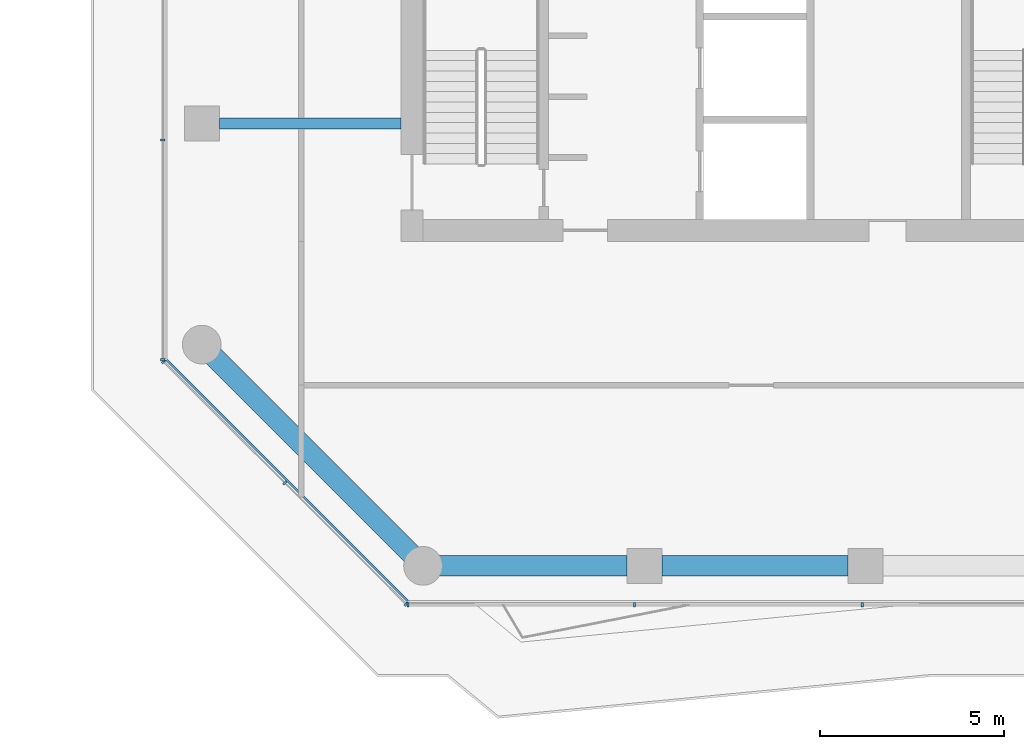
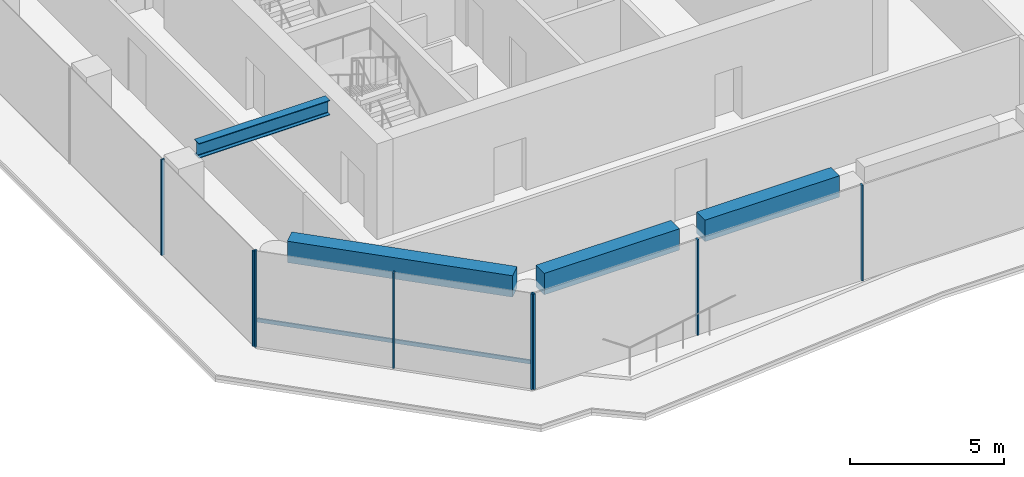
# One storey, part 2 of 22: 9 members, 4 beams, 3 elements without a shape of their own.
"""IFC4 building model written with IfcOpenShell, lengths in metres."""

from ifc_helpers import new_model, si_unit, direction, frame, origin, origin_2d, place, context, subcontext, project, spatial, rectangle, i_section, extrude, material, layer, layer_set, material_profile, profile_set, type_object, element, aggregate, save


model = new_model("IFC4")

# Units and contexts
model_context = context("Model", 3, precision=1e-05, world=origin(), true_north=direction((0.0, 1.0)))
body_context = subcontext(model_context, "Body", "Model", "MODEL_VIEW")
ifc_project = project(units=[si_unit("LENGTHUNIT", "METRE"), si_unit("AREAUNIT", "SQUARE_METRE"), si_unit("VOLUMEUNIT", "CUBIC_METRE"), si_unit("PLANEANGLEUNIT", "RADIAN"), si_unit("MASSUNIT", "GRAM", prefix="KILO")], contexts=[model_context])

# Site, building, storey
site_placement = place(None, origin())
site = spatial("IfcSite", under=ifc_project, at=site_placement, CompositionType="ELEMENT")
building_placement = place(site_placement, origin())
building = spatial("IfcBuilding", under=site, at=building_placement, Name="Welwitschia Terrace Campus", CompositionType="ELEMENT")
storey_placement = place(building_placement, frame((0.0, 0.0, 192.800048828125)))
storey = spatial("IfcBuildingStorey", under=building, at=storey_placement, Name="L43", CompositionType="ELEMENT", Elevation=192.800048828125)

# Curtain wall, members
ifc_material_1 = material(Name="Bronze anodised aluminium", Category="aluminium")
ifc_layer = layer(ifc_material_1, 0.1201171875)
ifc_layer_set = layer_set([ifc_layer], Name="Bronze anodised aluminium")
curtain_wall_type = type_object("IfcCurtainWallType", Name="Curtain wall CW2 tower 6000", PredefinedType="NOTDEFINED", material=ifc_layer_set)
curtain_wall_1_placement = place(storey_placement, origin())
curtain_wall_1 = element("IfcCurtainWall", 1, at=curtain_wall_1_placement, inside=storey, type_object=curtain_wall_type, Name="CW L43.1.0", PredefinedType="NOTDEFINED")
ifc_material_2 = material(Name="Bronze anodised aluminium", Category="aluminium")
ifc_material_profile_1 = material_profile(ifc_material_2, rectangle(XDim=0.1201171875, YDim=0.06005859375, at=origin_2d()))
ifc_profile_set_1 = profile_set([ifc_material_profile_1], Name="Bronze anodised aluminium")
member_type_1 = type_object("IfcMemberType", Name="Mullion 60x120", PredefinedType="MULLION", material=ifc_profile_set_1)
member_1_placement = place(storey_placement, frame((-1.05810546875, 7.55224609375, 0.0), z_axis=(0.0, 0.0, 1.0), x_axis=(1.0, 0.0, 0.0)))
member_1 = element("IfcMember", 2, at=member_1_placement, type_object=member_type_1, Name="Mullion L43.1.0.3", PredefinedType="MULLION", context=body_context, shape_type="SweptSolid", body=[
    extrude(rectangle(XDim=0.1201171875, YDim=0.06005859375, at=origin_2d()), origin(), (0.0, 0.0, 1.0), 3.800048828125),
])
member_2_placement = place(storey_placement, frame((-1.05810546875, 1.591796875, 0.0), z_axis=(0.0, 0.0, 1.0), x_axis=(1.0, 0.0, 0.0)))
member_2 = element("IfcMember", 3, at=member_2_placement, type_object=member_type_1, Name="Mullion L43.1.0.4", PredefinedType="MULLION", context=body_context, shape_type="SweptSolid", body=[
    extrude(rectangle(XDim=0.1201171875, YDim=0.06005859375, at=origin_2d()), origin(), (0.0, 0.0, 1.0), 3.800048828125),
])
aggregate(curtain_wall_1, [member_1, member_2])

curtain_wall_2_placement = place(storey_placement, origin())
curtain_wall_2 = element("IfcCurtainWall", 4, at=curtain_wall_2_placement, inside=storey, type_object=curtain_wall_type, Name="CW L43.2.0", PredefinedType="NOTDEFINED")
member_3_placement = place(storey_placement, frame((-1.036865234375, 1.54052734375, 0.0), z_axis=(0.0, 0.0, 1.0), x_axis=(0.707106781187, 0.707106781187, 0.0)))
member_3 = element("IfcMember", 5, at=member_3_placement, type_object=member_type_1, Name="Mullion L43.2.0.0", PredefinedType="MULLION", context=body_context, shape_type="SweptSolid", body=[
    extrude(rectangle(XDim=0.1201171875, YDim=0.06005859375, at=origin_2d()), origin(), (0.0, 0.0, 1.0), 3.800048828125),
])
member_4_placement = place(storey_placement, frame((2.251953125, -1.748046875, 0.0), z_axis=(0.0, 0.0, 1.0), x_axis=(0.707106781187, 0.707106781187, 0.0)))
member_4 = element("IfcMember", 6, at=member_4_placement, type_object=member_type_1, Name="Mullion L43.2.0.1", PredefinedType="MULLION", context=body_context, shape_type="SweptSolid", body=[
    extrude(rectangle(XDim=0.1201171875, YDim=0.06005859375, at=origin_2d()), origin(), (0.0, 0.0, 1.0), 3.800048828125),
])
member_5_placement = place(storey_placement, frame((5.54052734375, -5.036865234375, 0.0), z_axis=(0.0, 0.0, 1.0), x_axis=(0.707106781187, 0.707106781187, 0.0)))
member_5 = element("IfcMember", 7, at=member_5_placement, type_object=member_type_1, Name="Mullion L43.2.0.2", PredefinedType="MULLION", context=body_context, shape_type="SweptSolid", body=[
    extrude(rectangle(XDim=0.1201171875, YDim=0.06005859375, at=origin_2d()), origin(), (0.0, 0.0, 1.0), 3.800048828125),
])

curtain_wall_3_placement = place(storey_placement, origin())
curtain_wall_3 = element("IfcCurtainWall", 8, at=curtain_wall_3_placement, inside=storey, type_object=curtain_wall_type, Name="CW L43.3.0", PredefinedType="NOTDEFINED")
member_6_placement = place(storey_placement, frame((5.591796875, -5.05810546875, 0.0), z_axis=(0.0, 0.0, 1.0), x_axis=(0.0, 1.0, 0.0)))
member_6 = element("IfcMember", 9, at=member_6_placement, type_object=member_type_1, Name="Mullion L43.3.0.0", PredefinedType="MULLION", context=body_context, shape_type="SweptSolid", body=[
    extrude(rectangle(XDim=0.1201171875, YDim=0.06005859375, at=origin_2d()), origin(), (0.0, 0.0, 1.0), 3.800048828125),
])
member_7_placement = place(storey_placement, frame((11.737060546875, -5.05810546875, 0.0), z_axis=(0.0, 0.0, 1.0), x_axis=(0.0, 1.0, 0.0)))
member_7 = element("IfcMember", 10, at=member_7_placement, type_object=member_type_1, Name="Mullion L43.3.0.1", PredefinedType="MULLION", context=body_context, shape_type="SweptSolid", body=[
    extrude(rectangle(XDim=0.1201171875, YDim=0.06005859375, at=origin_2d()), origin(), (0.0, 0.0, 1.0), 3.800048828125),
])
member_8_placement = place(storey_placement, frame((17.912353515625, -5.05810546875, 0.0), z_axis=(0.0, 0.0, 1.0), x_axis=(0.0, 1.0, 0.0)))
member_8 = element("IfcMember", 11, at=member_8_placement, type_object=member_type_1, Name="Mullion L43.3.0.2", PredefinedType="MULLION", context=body_context, shape_type="SweptSolid", body=[
    extrude(rectangle(XDim=0.1201171875, YDim=0.06005859375, at=origin_2d()), origin(), (0.0, 0.0, 1.0), 3.800048828125),
])
aggregate(curtain_wall_3, [member_6, member_7, member_8])

# Beams
ifc_material_3 = material(Name="Steel S355", Category="steel")
ifc_material_profile_2 = material_profile(ifc_material_3, i_section(OverallWidth=0.300048828125, OverallDepth=0.590087890625, WebThickness=0.012939453125, FlangeThickness=0.02490234375, FilletRadius=0.027099609375, at=origin_2d()))
ifc_profile_set_2 = profile_set([ifc_material_profile_2], Name="Steel S355")
beam_type_1 = type_object("IfcBeamType", Name="Primary beam HE 600 A", PredefinedType="BEAM", material=ifc_profile_set_2)
beam_1_placement = place(storey_placement, frame((0.4755859375, 8.0, 3.39501953125), z_axis=(1.0, 0.0, 0.0), x_axis=(0.0, 1.0, 0.0)))
element("IfcBeam", 12, at=beam_1_placement, inside=storey, type_object=beam_type_1, Name="Primary beam PB4", PredefinedType="BEAM", context=body_context, shape_type="SweptSolid", body=[
    extrude(i_section(OverallWidth=0.300048828125, OverallDepth=0.590087890625, WebThickness=0.012939453125, FlangeThickness=0.02490234375, FilletRadius=0.027099609375, at=origin_2d()), origin(), (0.0, 0.0, 1.0), 4.92431640625),
])
ifc_material_4 = material(Name="Concrete C50/60", Category="concrete")
ifc_material_profile_3 = material_profile(ifc_material_4, rectangle(XDim=0.550048828125, YDim=0.85009765625, at=origin_2d()))
ifc_profile_set_3 = profile_set([ifc_material_profile_3], Name="Concrete C50/60")
beam_type_2 = type_object("IfcBeamType", Name="Ring spandrel 550x850", PredefinedType="SPANDREL", material=ifc_profile_set_3)
beam_2_placement = place(storey_placement, frame((0.31689453125, 1.68310546875, 3.375), z_axis=(0.707106781187, -0.707106781187, 0.0), x_axis=(0.707106781187, 0.707106781187, 0.0)))
element("IfcBeam", 13, at=beam_2_placement, inside=storey, type_object=beam_type_2, Name="Spandrel SP3", PredefinedType="SPANDREL", context=body_context, shape_type="SweptSolid", body=[
    extrude(rectangle(XDim=0.550048828125, YDim=0.85009765625, at=origin_2d()), origin(), (0.0, 0.0, 1.0), 7.5888671875),
])
beam_3_placement = place(storey_placement, frame((6.447998046875, -4.0, 3.375), z_axis=(1.0, 0.0, 0.0), x_axis=(0.0, 1.0, 0.0)))
element("IfcBeam", 14, at=beam_3_placement, inside=storey, type_object=beam_type_2, Name="Spandrel SP3", PredefinedType="SPANDREL", context=body_context, shape_type="SweptSolid", body=[
    extrude(rectangle(XDim=0.550048828125, YDim=0.85009765625, at=origin_2d()), origin(), (0.0, 0.0, 1.0), 5.076416015625),
])
beam_4_placement = place(storey_placement, frame((12.4755859375, -4.0, 3.375), z_axis=(1.0, 0.0, 0.0), x_axis=(0.0, 1.0, 0.0)))
element("IfcBeam", 15, at=beam_4_placement, inside=storey, type_object=beam_type_2, Name="Spandrel SP3", PredefinedType="SPANDREL", context=body_context, shape_type="SweptSolid", body=[
    extrude(rectangle(XDim=0.550048828125, YDim=0.85009765625, at=origin_2d()), origin(), (0.0, 0.0, 1.0), 5.048828125),
])

# Member
ifc_material_5 = material(Name="Bronze anodised aluminium", Category="aluminium")
ifc_material_profile_4 = material_profile(ifc_material_5, rectangle(XDim=0.06005859375, YDim=0.14990234375, at=origin_2d()))
ifc_profile_set_4 = profile_set([ifc_material_profile_4], Name="Bronze anodised aluminium")
member_type_2 = type_object("IfcMemberType", Name="Transom 60x150", PredefinedType="USERDEFINED", material=ifc_profile_set_4)
member_9_placement = place(storey_placement, frame((-0.951904296875, 1.5830078125, 1.0), z_axis=(0.707106781187, -0.707106781187, 0.0), x_axis=(0.707106781187, 0.707106781187, 0.0)))
member_9 = element("IfcMember", 16, at=member_9_placement, type_object=member_type_2, Name="Transom L43.2.0", ObjectType="TRANSOM", PredefinedType="USERDEFINED", context=body_context, shape_type="SweptSolid", body=[
    extrude(rectangle(XDim=0.06005859375, YDim=0.14990234375, at=origin_2d()), origin(), (0.0, 0.0, 1.0), 9.24169921875),
])

aggregate(curtain_wall_2, [member_3, member_4, member_5, member_9])

save(model, "model.ifc")
